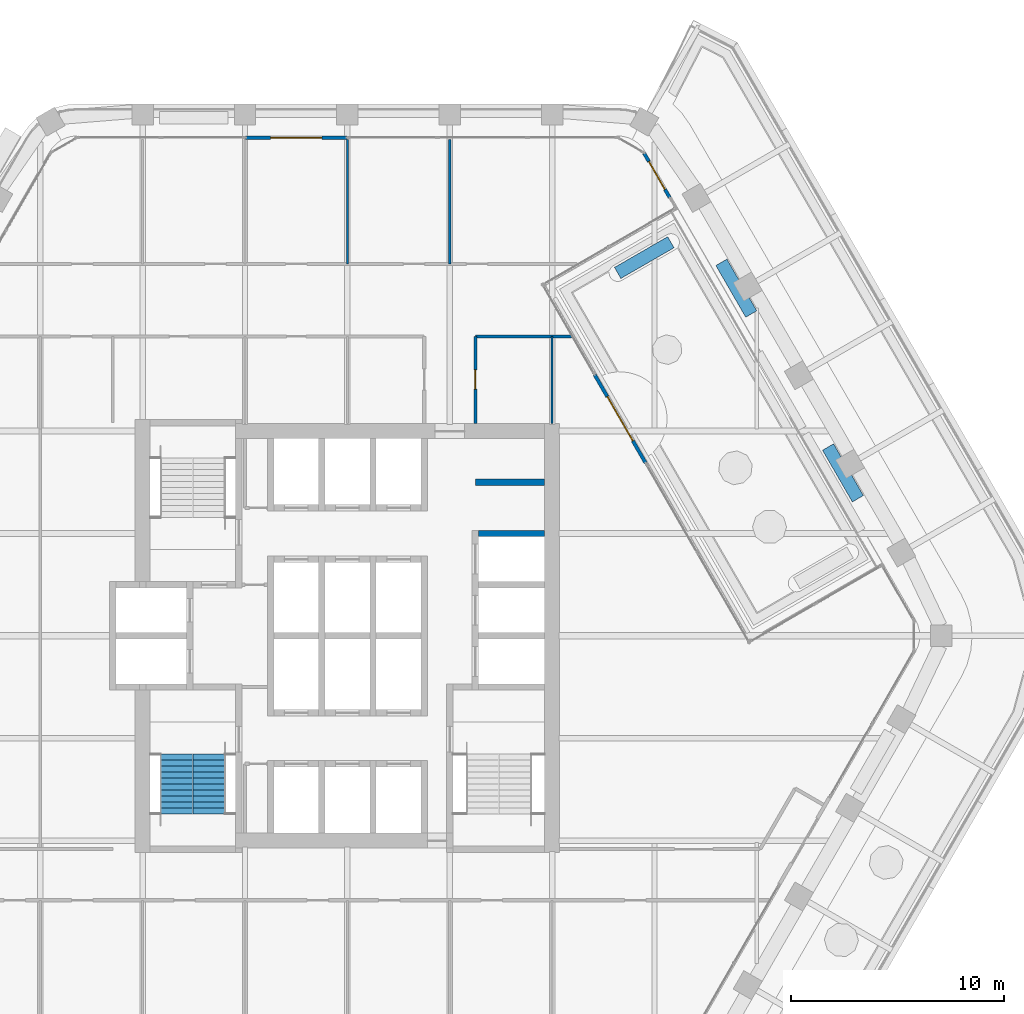
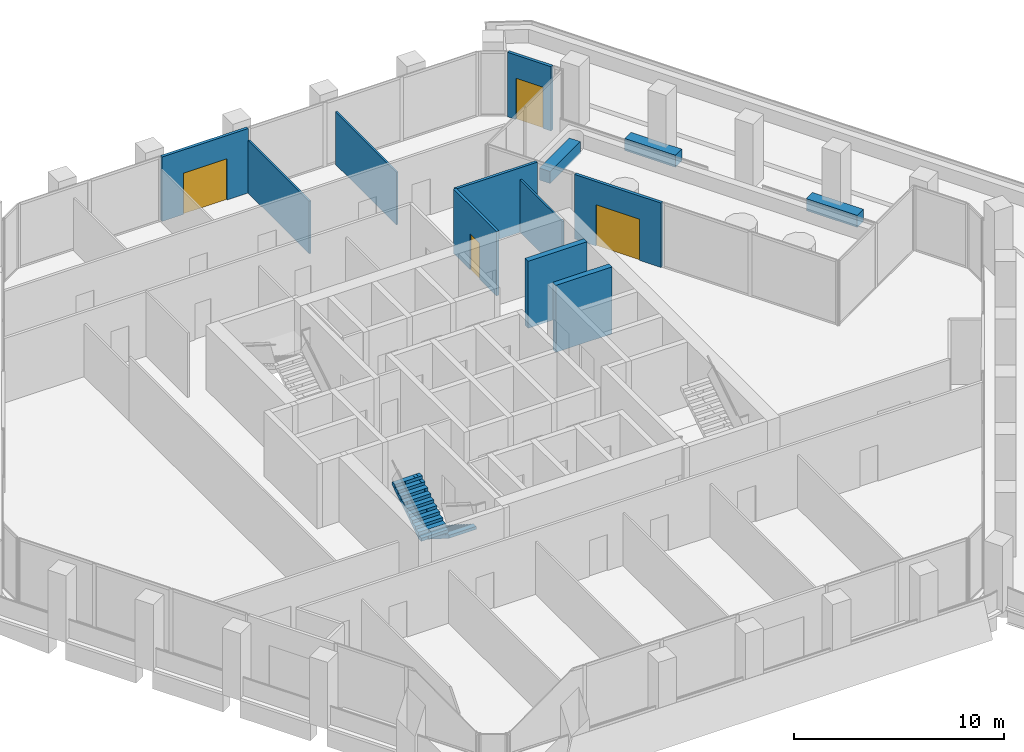
# One storey, part 14 of 17: 13 walls, 4 doors, 2 stair flights, 4 openings, 1 element without a shape of its own.
"""IFC4 building model written with IfcOpenShell, lengths in metres."""

from ifc_helpers import new_model, si_unit, direction, frame, frame_2d, origin, place, context, subcontext, project, spatial, polyline, rectangle, outline, extrude, material, layer, layer_set, type_object, element, fill, aggregate, save


model = new_model("IFC4")

# Units and contexts
model_context = context("Model", 3, precision=1e-05, world=origin(), true_north=direction((0.0, 1.0)))
body_context = subcontext(model_context, "Body", "Model", "MODEL_VIEW")
ifc_project = project(units=[si_unit("LENGTHUNIT", "METRE"), si_unit("AREAUNIT", "SQUARE_METRE"), si_unit("VOLUMEUNIT", "CUBIC_METRE"), si_unit("PLANEANGLEUNIT", "RADIAN"), si_unit("MASSUNIT", "GRAM", prefix="KILO")], contexts=[model_context])

# Site, building, storey
site_placement = place(None, origin())
site = spatial("IfcSite", under=ifc_project, at=site_placement, CompositionType="ELEMENT")
building_placement = place(site_placement, origin())
building = spatial("IfcBuilding", under=site, at=building_placement, Name="Kolab Exchange Tower", CompositionType="ELEMENT")
storey_placement = place(building_placement, frame((0.0, 0.0, 181.699951171875)))
storey = spatial("IfcBuildingStorey", under=building, at=storey_placement, Name="L38", CompositionType="ELEMENT", Elevation=181.699951171875)

# Wall, opening, door
ifc_material_1 = material(Name="Aluminium EN AW-6063 T6", Category="aluminium")
ifc_layer_1 = layer(ifc_material_1, 0.159912109375)
ifc_layer_set_1 = layer_set([ifc_layer_1], Name="Aluminium EN AW-6063 T6")
wall_type_1 = type_object("IfcWallType", Name="DOOR SURROUND WALL 160 ALUMINIUM FRAMED", PredefinedType="PARTITIONING", material=ifc_layer_set_1)
wall_1_placement = place(storey_placement, frame((-4.77001953125, 23.361572265625, 0.0), z_axis=(0.0, 0.0, 1.0), x_axis=(1.0, 0.0, 0.0)))
wall_1 = element("IfcWall", 1, at=wall_1_placement, inside=storey, type_object=wall_type_1, Name="Door surround wall", PredefinedType="PARTITIONING", context=body_context, shape_type="SweptSolid", body=[
    extrude(rectangle(XDim=4.739990234375, YDim=0.159912109375, at=frame_2d((2.3701171875, 0.0))), origin(), (0.0, 0.0, 1.0), 3.75),
])
opening_1_placement = place(wall_1_placement, frame((1.169921875, 0.0, 0.0)))
opening_1 = element("IfcOpeningElement", 2, at=opening_1_placement, cuts=wall_1, Name="Opening GD1-064", PredefinedType="OPENING", context=body_context, shape_type="SweptSolid", body=[
    extrude(rectangle(XDim=2.39990234375, YDim=2.39990234375, at=frame_2d((1.199951171875, 1.199951171875))), frame((0.0, 0.08984375, 0.0), z_axis=(0.0, -1.0, 0.0), x_axis=(1.0, 0.0, 0.0)), (0.0, 0.0, 1.0), 0.179931640625),
])
door_type_1 = type_object("IfcDoorType", Name="LOGGIA SLIDING GLASS DOOR 2400 X 2400", OperationType="DOUBLE_DOOR_SINGLE_SWING", PredefinedType="DOOR", material=ifc_material_1)
door_1_placement = place(opening_1_placement, origin())
door_1 = element("IfcDoor", 3, at=door_1_placement, inside=storey, type_object=door_type_1, Name="Loggia door", OperationType="DOUBLE_DOOR_SLIDING", OverallHeight=2.39990234375, OverallWidth=2.39990234375, PredefinedType="DOOR", context=body_context, shape_type="SweptSolid", body=[
    extrude(rectangle(XDim=2.39990234375, YDim=2.39990234375, at=frame_2d((1.199951171875, 1.199951171875))), frame((0.0, 0.02490234375, 0.0), z_axis=(0.0, -1.0, 0.0), x_axis=(1.0, 0.0, 0.0)), (0.0, 0.0, 1.0), 0.050048828125),
])
fill(opening_1, door_1)

wall_2_placement = place(storey_placement, frame((13.91259765625, 22.62548828125, 0.0), z_axis=(0.0, 0.0, 1.0), x_axis=(0.500077600433, -0.865980596518, 0.0)))
wall_2 = element("IfcWall", 4, at=wall_2_placement, inside=storey, type_object=wall_type_1, Name="Door surround wall", PredefinedType="PARTITIONING", context=body_context, shape_type="SweptSolid", body=[
    extrude(rectangle(XDim=2.39990234375, YDim=0.159912109375, at=frame_2d((1.199951171875, 0.0))), origin(), (0.0, 0.0, 1.0), 3.75),
])
opening_2_placement = place(wall_2_placement, frame((0.449951171875, 0.0, 0.0)))
opening_2 = element("IfcOpeningElement", 5, at=opening_2_placement, cuts=wall_2, Name="Opening GD2-008", PredefinedType="OPENING", context=body_context, shape_type="SweptSolid", body=[
    extrude(rectangle(XDim=1.5, YDim=2.39990234375, at=frame_2d((0.75, 1.199951171875))), frame((0.0, 0.08984375, 0.0), z_axis=(0.0, -1.0, 0.0), x_axis=(1.0, 0.0, 0.0)), (0.0, 0.0, 1.0), 0.179931640625),
])
door_type_2 = type_object("IfcDoorType", Name="LOGGIA SLIDING GLASS DOOR 1500 X 2400", OperationType="SLIDING_TO_LEFT", PredefinedType="DOOR", material=ifc_material_1)
door_2_placement = place(opening_2_placement, origin())
door_2 = element("IfcDoor", 6, at=door_2_placement, inside=storey, type_object=door_type_2, Name="Loggia door", OperationType="DOUBLE_DOOR_SLIDING", OverallHeight=2.39990234375, OverallWidth=1.5, PredefinedType="DOOR", context=body_context, shape_type="SweptSolid", body=[
    extrude(rectangle(XDim=1.5, YDim=2.39990234375, at=frame_2d((0.75, 1.199951171875))), frame((0.0, 0.02490234375, 0.0), z_axis=(0.0, -1.0, 0.0), x_axis=(1.0, 0.0, 0.0)), (0.0, 0.0, 1.0), 0.050048828125),
])
fill(opening_2, door_2)

wall_3_placement = place(storey_placement, frame((11.59130859375, 12.246337890625, 0.0), z_axis=(0.0, 0.0, 1.0), x_axis=(0.49997888657, -0.866037593286, 0.0)))
wall_3 = element("IfcWall", 7, at=wall_3_placement, inside=storey, type_object=wall_type_1, Name="Door surround wall", PredefinedType="PARTITIONING", context=body_context, shape_type="SweptSolid", body=[
    extrude(rectangle(XDim=4.780029296875, YDim=0.159912109375, at=frame_2d((2.39013671875, 0.0))), origin(), (0.0, 0.0, 1.0), 3.75),
])
opening_3_placement = place(wall_3_placement, frame((1.18994140625, 0.0, 0.0)))
opening_3 = element("IfcOpeningElement", 8, at=opening_3_placement, cuts=wall_3, Name="Opening GD1-081", PredefinedType="OPENING", context=body_context, shape_type="SweptSolid", body=[
    extrude(rectangle(XDim=2.39990234375, YDim=2.39990234375, at=frame_2d((1.199951171875, 1.199951171875))), frame((0.0, 0.08984375, 0.0), z_axis=(0.0, -1.0, 0.0), x_axis=(1.0, 0.0, 0.0)), (0.0, 0.0, 1.0), 0.179931640625),
])
door_3_placement = place(opening_3_placement, origin())
door_3 = element("IfcDoor", 9, at=door_3_placement, inside=storey, type_object=door_type_1, Name="Loggia door", OperationType="DOUBLE_DOOR_SLIDING", OverallHeight=2.39990234375, OverallWidth=2.39990234375, PredefinedType="DOOR", context=body_context, shape_type="SweptSolid", body=[
    extrude(rectangle(XDim=2.39990234375, YDim=2.39990234375, at=frame_2d((1.199951171875, 1.199951171875))), frame((0.0, 0.02490234375, 0.0), z_axis=(0.0, -1.0, 0.0), x_axis=(1.0, 0.0, 0.0)), (0.0, 0.0, 1.0), 0.050048828125),
])
fill(opening_3, door_3)

# Walls
ifc_material_2 = material(Name="Concrete C50/60", Category="concrete")
ifc_layer_2 = layer(ifc_material_2, 0.300048828125)
ifc_layer_set_2 = layer_set([ifc_layer_2], Name="Concrete C50/60")
wall_type_2 = type_object("IfcWallType", Name="LIFT SHAFT WALL 300 C50/60", PredefinedType="STANDARD", material=ifc_layer_set_2)
wall_4_placement = place(storey_placement, frame((6.14990234375, 4.800048828125, -0.14990234375), z_axis=(0.0, 0.0, 1.0), x_axis=(1.0, 0.0, 0.0)))
element("IfcWall", 10, at=wall_4_placement, inside=storey, type_object=wall_type_2, Name="wall/L38/core/026", PredefinedType="STANDARD", context=body_context, shape_type="SweptSolid", body=[
    extrude(rectangle(XDim=3.10009765625, YDim=0.300048828125, at=frame_2d((1.550048828125, 0.0))), origin(), (0.0, 0.0, 1.0), 3.89990234375),
])
wall_5_placement = place(storey_placement, frame((6.0, 7.199951171875, -0.14990234375), z_axis=(0.0, 0.0, 1.0), x_axis=(1.0, 0.0, 0.0)))
element("IfcWall", 11, at=wall_5_placement, inside=storey, type_object=wall_type_2, Name="wall/L38/core/030", PredefinedType="STANDARD", context=body_context, shape_type="SweptSolid", body=[
    extrude(rectangle(XDim=3.25, YDim=0.300048828125, at=frame_2d((1.625, 0.0))), origin(), (0.0, 0.0, 1.0), 3.89990234375),
])
ifc_material_3 = material(Name="Gypsum board", Category="gypsum")
ifc_layer_3 = layer(ifc_material_3, 0.10009765625)
ifc_layer_set_3 = layer_set([ifc_layer_3], Name="Gypsum board")
wall_type_3 = type_object("IfcWallType", Name="PARTITION 100", PredefinedType="PARTITIONING", material=ifc_layer_set_3)
wall_6_placement = place(storey_placement, frame((9.60009765625, 9.949951171875, 0.0), z_axis=(0.0, 0.0, 1.0), x_axis=(0.0, 1.0, 0.0)))
element("IfcWall", 12, at=wall_6_placement, inside=storey, type_object=wall_type_3, Name="Partition 001", PredefinedType="PARTITIONING", context=body_context, shape_type="SweptSolid", body=[
    extrude(rectangle(XDim=4.091552734375, YDim=0.10009765625, at=frame_2d((2.0458984375, 0.0))), origin(), (0.0, 0.0, 1.0), 3.066162109375),
])
wall_7_placement = place(storey_placement, frame((4.800048828125, 17.44140625, 0.0), z_axis=(0.0, 0.0, 1.0), x_axis=(0.0, 1.0, 0.0)))
element("IfcWall", 13, at=wall_7_placement, inside=storey, type_object=wall_type_3, Name="Partition 004", PredefinedType="PARTITIONING", context=body_context, shape_type="SweptSolid", body=[
    extrude(rectangle(XDim=5.830078125, YDim=0.10009765625, at=frame_2d((2.9150390625, 0.0))), origin(), (0.0, 0.0, 1.0), 3.066162109375),
])
wall_8_placement = place(storey_placement, frame((0.0, 17.44140625, 0.0), z_axis=(0.0, 0.0, 1.0), x_axis=(0.0, 1.0, 0.0)))
element("IfcWall", 14, at=wall_8_placement, inside=storey, type_object=wall_type_3, Name="Partition 008", PredefinedType="PARTITIONING", context=body_context, shape_type="SweptSolid", body=[
    extrude(rectangle(XDim=5.840087890625, YDim=0.10009765625, at=frame_2d((2.919921875, 0.0))), origin(), (0.0, 0.0, 1.0), 3.066162109375),
])

# Wall, opening, door
ifc_layer_4 = layer(ifc_material_3, 0.14990234375)
ifc_layer_set_4 = layer_set([ifc_layer_4], Name="Gypsum board")
wall_type_4 = type_object("IfcWallType", Name="PARTITION 150 FIRE-RATED", PredefinedType="PARTITIONING", material=ifc_layer_set_4)
wall_9_placement = place(storey_placement, frame((6.0, 9.949951171875, 0.0), z_axis=(0.0, 0.0, 1.0), x_axis=(0.0, 1.0, 0.0)))
wall_9 = element("IfcWall", 15, at=wall_9_placement, inside=storey, type_object=wall_type_4, Name="Partition 002", PredefinedType="PARTITIONING", context=body_context, shape_type="SweptSolid", body=[
    extrude(rectangle(XDim=4.091552734375, YDim=0.14990234375, at=frame_2d((2.0458984375, 0.0))), origin(), (0.0, 0.0, 1.0), 3.75),
])
opening_4_placement = place(wall_9_placement, frame((1.620849609375, 0.0, 0.0)))
opening_4 = element("IfcOpeningElement", 16, at=opening_4_placement, cuts=wall_9, Name="Opening D3-045", PredefinedType="OPENING", context=body_context, shape_type="SweptSolid", body=[
    extrude(rectangle(XDim=0.89990234375, YDim=2.10009765625, at=frame_2d((0.449951171875, 1.050048828125))), frame((0.0, 0.0849609375, 0.0), z_axis=(0.0, -1.0, 0.0), x_axis=(1.0, 0.0, 0.0)), (0.0, 0.0, 1.0), 0.169921875),
])
ifc_material_4 = material(Name="Steel S235", Category="steel")
door_type_3 = type_object("IfcDoorType", Name="FLUSH DOOR 900 FD60", OperationType="SINGLE_SWING_LEFT", PredefinedType="DOOR", material=ifc_material_4)
door_4_placement = place(opening_4_placement, frame((0.89990234375, 0.0, 0.0), z_axis=(0.0, 0.0, 1.0), x_axis=(-1.0, 0.0, 0.0)))
door_4 = element("IfcDoor", 17, at=door_4_placement, inside=storey, type_object=door_type_3, Name="Door L38-030", OperationType="SINGLE_SWING_RIGHT", OverallHeight=2.10009765625, OverallWidth=0.89990234375, PredefinedType="DOOR", context=body_context, shape_type="SweptSolid", body=[
    extrude(rectangle(XDim=0.89990234375, YDim=2.10009765625, at=frame_2d((0.449951171875, 1.050048828125))), frame((0.0, 0.02490234375, 0.0), z_axis=(0.0, -1.0, 0.0), x_axis=(1.0, 0.0, 0.0)), (0.0, 0.0, 1.0), 0.050048828125),
])
fill(opening_4, door_4)

# Walls
wall_10_placement = place(storey_placement, frame((6.0, 14.04150390625, 0.0), z_axis=(0.0, 0.0, 1.0), x_axis=(1.0, 0.0, 0.0)))
element("IfcWall", 18, at=wall_10_placement, inside=storey, type_object=wall_type_4, Name="Partition 029", PredefinedType="PARTITIONING", context=body_context, shape_type="SweptSolid", body=[
    extrude(rectangle(XDim=4.5087890625, YDim=0.14990234375, at=frame_2d((2.25439453125, 0.0))), origin(), (0.0, 0.0, 1.0), 3.75),
])
ifc_material_5 = material(Name="Granite facing", Category="masonry")
ifc_layer_5 = layer(ifc_material_5, 0.0400390625)
ifc_material_6 = material(Name="Concrete C40/50 precast", Category="concrete")
ifc_layer_6 = layer(ifc_material_6, 0.56005859375)
ifc_layer_set_5 = layer_set([ifc_layer_5, ifc_layer_6], Name="Concrete C40/50 precast")
wall_type_5 = type_object("IfcWallType", Name="PLANTER BOX 600 X 700 SOIL DEPTH 550", PredefinedType="USERDEFINED", material=ifc_layer_set_5)
wall_11_placement = place(storey_placement, frame((12.67138671875, 17.015380859375, 0.0), z_axis=(0.0, 0.0, 1.0), x_axis=(0.866054314686, 0.499949921505, 0.0)))
element("IfcWall", 19, at=wall_11_placement, inside=storey, type_object=wall_type_5, Name="Planter", ObjectType="PLANTER", PredefinedType="USERDEFINED", context=body_context, shape_type="SweptSolid", body=[
    extrude(rectangle(XDim=2.880126953125, YDim=0.60009765625, at=frame_2d((1.43994140625, 0.0))), origin(), (0.0, 0.0, 1.0), 0.699951171875),
])
wall_12_placement = place(storey_placement, frame((18.93408203125, 15.08837890625, 0.0), z_axis=(0.0, 0.0, 1.0), x_axis=(-0.500011755427, 0.866018616679, 0.0)))
element("IfcWall", 20, at=wall_12_placement, inside=storey, type_object=wall_type_5, Name="Planter", ObjectType="PLANTER", PredefinedType="USERDEFINED", context=body_context, shape_type="SweptSolid", body=[
    extrude(rectangle(XDim=2.80029296875, YDim=0.60009765625, at=frame_2d((1.400146484375, 0.0))), origin(), (0.0, 0.0, 1.0), 0.699951171875),
])
wall_13_placement = place(storey_placement, frame((22.533935546875, 8.85302734375, 0.0), z_axis=(0.0, 0.0, 1.0), x_axis=(0.500049511043, -0.865996816683, 0.0)))
element("IfcWall", 21, at=wall_13_placement, inside=storey, type_object=wall_type_5, Name="Planter", ObjectType="PLANTER", PredefinedType="USERDEFINED", context=body_context, shape_type="SweptSolid", body=[
    extrude(rectangle(XDim=2.800048828125, YDim=0.60009765625, at=frame_2d((1.39990234375, 0.0))), origin(), (0.0, 0.0, 1.0), 0.699951171875),
])

# Stair, stair flights
stair_type = type_object("IfcStairType", Name="STAIR ST3 RISER 177.3", PredefinedType="HALF_TURN_STAIR", material=ifc_material_2)
stair_placement = place(storey_placement, origin())
stair = element("IfcStair", 22, at=stair_placement, inside=storey, type_object=stair_type, Name="Stair 3", PredefinedType="HALF_TURN_STAIR")
stair_flight_type = type_object("IfcStairFlightType", Name="STAIR FLIGHT 1500 RISER 177.3", PredefinedType="STRAIGHT", material=ifc_material_2)
stair_flight_1_placement = place(storey_placement, frame((-6.489990234375, -5.550048828125, 0.0), z_axis=(0.0, 0.0, 1.0), x_axis=(0.0, -1.0, 0.0)))
stair_flight_1 = element("IfcStairFlight", 23, at=stair_flight_1_placement, type_object=stair_flight_type, Name="ST3 flight 1", NumberOfRisers=11, NumberOfTreads=10, PredefinedType="STRAIGHT", RiserHeight=0.177272727, TreadLength=0.28, context=body_context, shape_type="SweptSolid", body=[
    extrude(outline(polyline([(0.0, 0.0), (0.0, 0.17724609375), (0.280029296875, 0.17724609375), (0.280029296875, 0.3544921875), (0.56005859375, 0.3544921875), (0.56005859375, 0.53173828125), (0.840087890625, 0.53173828125), (0.840087890625, 0.708984375), (1.1201171875, 0.708984375), (1.1201171875, 0.886474609375), (1.39990234375, 0.886474609375), (1.39990234375, 1.063720703125), (1.679931640625, 1.063720703125), (1.679931640625, 1.240966796875), (1.9599609375, 1.240966796875), (1.9599609375, 1.418212890625), (2.239990234375, 1.418212890625), (2.239990234375, 1.595458984375), (2.52001953125, 1.595458984375), (2.52001953125, 1.772705078125), (2.800048828125, 1.772705078125), (2.800048828125, 1.949951171875), (2.800048828125, 1.59521484375), (0.2802734375, 0.0), (0.0, 0.0)])), frame((0.0, 0.75, 0.0), z_axis=(0.0, -1.0, 0.0), x_axis=(1.0, 0.0, 0.0)), (0.0, 0.0, 1.0), 0.185791015625),
    extrude(outline(polyline([(0.0, 0.0), (0.0, 0.17724609375), (0.280029296875, 0.17724609375), (0.280029296875, 0.3544921875), (0.56005859375, 0.3544921875), (0.56005859375, 0.53173828125), (0.840087890625, 0.53173828125), (0.840087890625, 0.708984375), (1.1201171875, 0.708984375), (1.1201171875, 0.886474609375), (1.39990234375, 0.886474609375), (1.39990234375, 1.063720703125), (1.679931640625, 1.063720703125), (1.679931640625, 1.240966796875), (1.9599609375, 1.240966796875), (1.9599609375, 1.418212890625), (2.239990234375, 1.418212890625), (2.239990234375, 1.595458984375), (2.52001953125, 1.595458984375), (2.52001953125, 1.772705078125), (2.800048828125, 1.772705078125), (2.800048828125, 1.949951171875), (2.800048828125, 1.59521484375), (0.2802734375, 0.0), (0.0, 0.0)])), frame((0.0, 0.562255859375, 0.0), z_axis=(0.0, -1.0, 0.0), x_axis=(1.0, 0.0, 0.0)), (0.0, 0.0, 1.0), 0.185791015625),
    extrude(outline(polyline([(0.0, 0.0), (0.0, 0.17724609375), (0.280029296875, 0.17724609375), (0.280029296875, 0.3544921875), (0.56005859375, 0.3544921875), (0.56005859375, 0.53173828125), (0.840087890625, 0.53173828125), (0.840087890625, 0.708984375), (1.1201171875, 0.708984375), (1.1201171875, 0.886474609375), (1.39990234375, 0.886474609375), (1.39990234375, 1.063720703125), (1.679931640625, 1.063720703125), (1.679931640625, 1.240966796875), (1.9599609375, 1.240966796875), (1.9599609375, 1.418212890625), (2.239990234375, 1.418212890625), (2.239990234375, 1.595458984375), (2.52001953125, 1.595458984375), (2.52001953125, 1.772705078125), (2.800048828125, 1.772705078125), (2.800048828125, 1.949951171875), (2.800048828125, 1.59521484375), (0.2802734375, 0.0), (0.0, 0.0)])), frame((0.0, 0.37451171875, 0.0), z_axis=(0.0, -1.0, 0.0), x_axis=(1.0, 0.0, 0.0)), (0.0, 0.0, 1.0), 0.185791015625),
    extrude(outline(polyline([(0.0, 0.0), (0.0, 0.17724609375), (0.280029296875, 0.17724609375), (0.280029296875, 0.3544921875), (0.56005859375, 0.3544921875), (0.56005859375, 0.53173828125), (0.840087890625, 0.53173828125), (0.840087890625, 0.708984375), (1.1201171875, 0.708984375), (1.1201171875, 0.886474609375), (1.39990234375, 0.886474609375), (1.39990234375, 1.063720703125), (1.679931640625, 1.063720703125), (1.679931640625, 1.240966796875), (1.9599609375, 1.240966796875), (1.9599609375, 1.418212890625), (2.239990234375, 1.418212890625), (2.239990234375, 1.595458984375), (2.52001953125, 1.595458984375), (2.52001953125, 1.772705078125), (2.800048828125, 1.772705078125), (2.800048828125, 1.949951171875), (2.800048828125, 1.59521484375), (0.2802734375, 0.0), (0.0, 0.0)])), frame((0.0, 0.186767578125, 0.0), z_axis=(0.0, -1.0, 0.0), x_axis=(1.0, 0.0, 0.0)), (0.0, 0.0, 1.0), 0.185791015625),
    extrude(outline(polyline([(0.0, 0.0), (0.0, 0.17724609375), (0.280029296875, 0.17724609375), (0.280029296875, 0.3544921875), (0.56005859375, 0.3544921875), (0.56005859375, 0.53173828125), (0.840087890625, 0.53173828125), (0.840087890625, 0.708984375), (1.1201171875, 0.708984375), (1.1201171875, 0.886474609375), (1.39990234375, 0.886474609375), (1.39990234375, 1.063720703125), (1.679931640625, 1.063720703125), (1.679931640625, 1.240966796875), (1.9599609375, 1.240966796875), (1.9599609375, 1.418212890625), (2.239990234375, 1.418212890625), (2.239990234375, 1.595458984375), (2.52001953125, 1.595458984375), (2.52001953125, 1.772705078125), (2.800048828125, 1.772705078125), (2.800048828125, 1.949951171875), (2.800048828125, 1.59521484375), (0.2802734375, 0.0), (0.0, 0.0)])), frame((0.0, -0.0009765625, 0.0), z_axis=(0.0, -1.0, 0.0), x_axis=(1.0, 0.0, 0.0)), (0.0, 0.0, 1.0), 0.185791015625),
    extrude(outline(polyline([(0.0, 0.0), (0.0, 0.17724609375), (0.280029296875, 0.17724609375), (0.280029296875, 0.3544921875), (0.56005859375, 0.3544921875), (0.56005859375, 0.53173828125), (0.840087890625, 0.53173828125), (0.840087890625, 0.708984375), (1.1201171875, 0.708984375), (1.1201171875, 0.886474609375), (1.39990234375, 0.886474609375), (1.39990234375, 1.063720703125), (1.679931640625, 1.063720703125), (1.679931640625, 1.240966796875), (1.9599609375, 1.240966796875), (1.9599609375, 1.418212890625), (2.239990234375, 1.418212890625), (2.239990234375, 1.595458984375), (2.52001953125, 1.595458984375), (2.52001953125, 1.772705078125), (2.800048828125, 1.772705078125), (2.800048828125, 1.949951171875), (2.800048828125, 1.59521484375), (0.2802734375, 0.0), (0.0, 0.0)])), frame((0.0, -0.188720703125, 0.0), z_axis=(0.0, -1.0, 0.0), x_axis=(1.0, 0.0, 0.0)), (0.0, 0.0, 1.0), 0.185791015625),
    extrude(outline(polyline([(0.0, 0.0), (0.0, 0.17724609375), (0.280029296875, 0.17724609375), (0.280029296875, 0.3544921875), (0.56005859375, 0.3544921875), (0.56005859375, 0.53173828125), (0.840087890625, 0.53173828125), (0.840087890625, 0.708984375), (1.1201171875, 0.708984375), (1.1201171875, 0.886474609375), (1.39990234375, 0.886474609375), (1.39990234375, 1.063720703125), (1.679931640625, 1.063720703125), (1.679931640625, 1.240966796875), (1.9599609375, 1.240966796875), (1.9599609375, 1.418212890625), (2.239990234375, 1.418212890625), (2.239990234375, 1.595458984375), (2.52001953125, 1.595458984375), (2.52001953125, 1.772705078125), (2.800048828125, 1.772705078125), (2.800048828125, 1.949951171875), (2.800048828125, 1.59521484375), (0.2802734375, 0.0), (0.0, 0.0)])), frame((0.0, -0.37646484375, 0.0), z_axis=(0.0, -1.0, 0.0), x_axis=(1.0, 0.0, 0.0)), (0.0, 0.0, 1.0), 0.185791015625),
    extrude(outline(polyline([(0.0, 0.0), (0.0, 0.17724609375), (0.280029296875, 0.17724609375), (0.280029296875, 0.3544921875), (0.56005859375, 0.3544921875), (0.56005859375, 0.53173828125), (0.840087890625, 0.53173828125), (0.840087890625, 0.708984375), (1.1201171875, 0.708984375), (1.1201171875, 0.886474609375), (1.39990234375, 0.886474609375), (1.39990234375, 1.063720703125), (1.679931640625, 1.063720703125), (1.679931640625, 1.240966796875), (1.9599609375, 1.240966796875), (1.9599609375, 1.418212890625), (2.239990234375, 1.418212890625), (2.239990234375, 1.595458984375), (2.52001953125, 1.595458984375), (2.52001953125, 1.772705078125), (2.800048828125, 1.772705078125), (2.800048828125, 1.949951171875), (2.800048828125, 1.59521484375), (0.2802734375, 0.0), (0.0, 0.0)])), frame((0.0, -0.564208984375, 0.0), z_axis=(0.0, -1.0, 0.0), x_axis=(1.0, 0.0, 0.0)), (0.0, 0.0, 1.0), 0.185791015625),
])
stair_flight_2_placement = place(storey_placement, frame((-8.010009765625, -8.35009765625, 1.949951171875), z_axis=(0.0, 0.0, 1.0), x_axis=(0.0, 1.0, 0.0)))
stair_flight_2 = element("IfcStairFlight", 24, at=stair_flight_2_placement, type_object=stair_flight_type, Name="ST3 flight 2", NumberOfRisers=11, NumberOfTreads=10, PredefinedType="STRAIGHT", RiserHeight=0.177272727, TreadLength=0.28, context=body_context, shape_type="SweptSolid", body=[
    extrude(outline(polyline([(0.0, 0.0), (0.0, 0.17724609375), (0.280029296875, 0.17724609375), (0.280029296875, 0.3544921875), (0.56005859375, 0.3544921875), (0.56005859375, 0.53173828125), (0.840087890625, 0.53173828125), (0.840087890625, 0.708984375), (1.1201171875, 0.708984375), (1.1201171875, 0.886474609375), (1.39990234375, 0.886474609375), (1.39990234375, 1.063720703125), (1.679931640625, 1.063720703125), (1.679931640625, 1.240966796875), (1.9599609375, 1.240966796875), (1.9599609375, 1.418212890625), (2.239990234375, 1.418212890625), (2.239990234375, 1.595458984375), (2.52001953125, 1.595458984375), (2.52001953125, 1.772705078125), (2.800048828125, 1.772705078125), (2.800048828125, 1.949951171875), (2.800048828125, 1.59521484375), (0.2802734375, 0.0), (0.0, 0.0)])), frame((0.0, 0.75, 0.0), z_axis=(0.0, -1.0, 0.0), x_axis=(1.0, 0.0, 0.0)), (0.0, 0.0, 1.0), 0.185791015625),
    extrude(outline(polyline([(0.0, 0.0), (0.0, 0.17724609375), (0.280029296875, 0.17724609375), (0.280029296875, 0.3544921875), (0.56005859375, 0.3544921875), (0.56005859375, 0.53173828125), (0.840087890625, 0.53173828125), (0.840087890625, 0.708984375), (1.1201171875, 0.708984375), (1.1201171875, 0.886474609375), (1.39990234375, 0.886474609375), (1.39990234375, 1.063720703125), (1.679931640625, 1.063720703125), (1.679931640625, 1.240966796875), (1.9599609375, 1.240966796875), (1.9599609375, 1.418212890625), (2.239990234375, 1.418212890625), (2.239990234375, 1.595458984375), (2.52001953125, 1.595458984375), (2.52001953125, 1.772705078125), (2.800048828125, 1.772705078125), (2.800048828125, 1.949951171875), (2.800048828125, 1.59521484375), (0.2802734375, 0.0), (0.0, 0.0)])), frame((0.0, 0.562255859375, 0.0), z_axis=(0.0, -1.0, 0.0), x_axis=(1.0, 0.0, 0.0)), (0.0, 0.0, 1.0), 0.185791015625),
    extrude(outline(polyline([(0.0, 0.0), (0.0, 0.17724609375), (0.280029296875, 0.17724609375), (0.280029296875, 0.3544921875), (0.56005859375, 0.3544921875), (0.56005859375, 0.53173828125), (0.840087890625, 0.53173828125), (0.840087890625, 0.708984375), (1.1201171875, 0.708984375), (1.1201171875, 0.886474609375), (1.39990234375, 0.886474609375), (1.39990234375, 1.063720703125), (1.679931640625, 1.063720703125), (1.679931640625, 1.240966796875), (1.9599609375, 1.240966796875), (1.9599609375, 1.418212890625), (2.239990234375, 1.418212890625), (2.239990234375, 1.595458984375), (2.52001953125, 1.595458984375), (2.52001953125, 1.772705078125), (2.800048828125, 1.772705078125), (2.800048828125, 1.949951171875), (2.800048828125, 1.59521484375), (0.2802734375, 0.0), (0.0, 0.0)])), frame((0.0, 0.37451171875, 0.0), z_axis=(0.0, -1.0, 0.0), x_axis=(1.0, 0.0, 0.0)), (0.0, 0.0, 1.0), 0.185791015625),
    extrude(outline(polyline([(0.0, 0.0), (0.0, 0.17724609375), (0.280029296875, 0.17724609375), (0.280029296875, 0.3544921875), (0.56005859375, 0.3544921875), (0.56005859375, 0.53173828125), (0.840087890625, 0.53173828125), (0.840087890625, 0.708984375), (1.1201171875, 0.708984375), (1.1201171875, 0.886474609375), (1.39990234375, 0.886474609375), (1.39990234375, 1.063720703125), (1.679931640625, 1.063720703125), (1.679931640625, 1.240966796875), (1.9599609375, 1.240966796875), (1.9599609375, 1.418212890625), (2.239990234375, 1.418212890625), (2.239990234375, 1.595458984375), (2.52001953125, 1.595458984375), (2.52001953125, 1.772705078125), (2.800048828125, 1.772705078125), (2.800048828125, 1.949951171875), (2.800048828125, 1.59521484375), (0.2802734375, 0.0), (0.0, 0.0)])), frame((0.0, 0.186767578125, 0.0), z_axis=(0.0, -1.0, 0.0), x_axis=(1.0, 0.0, 0.0)), (0.0, 0.0, 1.0), 0.185791015625),
    extrude(outline(polyline([(0.0, 0.0), (0.0, 0.17724609375), (0.280029296875, 0.17724609375), (0.280029296875, 0.3544921875), (0.56005859375, 0.3544921875), (0.56005859375, 0.53173828125), (0.840087890625, 0.53173828125), (0.840087890625, 0.708984375), (1.1201171875, 0.708984375), (1.1201171875, 0.886474609375), (1.39990234375, 0.886474609375), (1.39990234375, 1.063720703125), (1.679931640625, 1.063720703125), (1.679931640625, 1.240966796875), (1.9599609375, 1.240966796875), (1.9599609375, 1.418212890625), (2.239990234375, 1.418212890625), (2.239990234375, 1.595458984375), (2.52001953125, 1.595458984375), (2.52001953125, 1.772705078125), (2.800048828125, 1.772705078125), (2.800048828125, 1.949951171875), (2.800048828125, 1.59521484375), (0.2802734375, 0.0), (0.0, 0.0)])), frame((0.0, -0.0009765625, 0.0), z_axis=(0.0, -1.0, 0.0), x_axis=(1.0, 0.0, 0.0)), (0.0, 0.0, 1.0), 0.185791015625),
    extrude(outline(polyline([(0.0, 0.0), (0.0, 0.17724609375), (0.280029296875, 0.17724609375), (0.280029296875, 0.3544921875), (0.56005859375, 0.3544921875), (0.56005859375, 0.53173828125), (0.840087890625, 0.53173828125), (0.840087890625, 0.708984375), (1.1201171875, 0.708984375), (1.1201171875, 0.886474609375), (1.39990234375, 0.886474609375), (1.39990234375, 1.063720703125), (1.679931640625, 1.063720703125), (1.679931640625, 1.240966796875), (1.9599609375, 1.240966796875), (1.9599609375, 1.418212890625), (2.239990234375, 1.418212890625), (2.239990234375, 1.595458984375), (2.52001953125, 1.595458984375), (2.52001953125, 1.772705078125), (2.800048828125, 1.772705078125), (2.800048828125, 1.949951171875), (2.800048828125, 1.59521484375), (0.2802734375, 0.0), (0.0, 0.0)])), frame((0.0, -0.188720703125, 0.0), z_axis=(0.0, -1.0, 0.0), x_axis=(1.0, 0.0, 0.0)), (0.0, 0.0, 1.0), 0.185791015625),
    extrude(outline(polyline([(0.0, 0.0), (0.0, 0.17724609375), (0.280029296875, 0.17724609375), (0.280029296875, 0.3544921875), (0.56005859375, 0.3544921875), (0.56005859375, 0.53173828125), (0.840087890625, 0.53173828125), (0.840087890625, 0.708984375), (1.1201171875, 0.708984375), (1.1201171875, 0.886474609375), (1.39990234375, 0.886474609375), (1.39990234375, 1.063720703125), (1.679931640625, 1.063720703125), (1.679931640625, 1.240966796875), (1.9599609375, 1.240966796875), (1.9599609375, 1.418212890625), (2.239990234375, 1.418212890625), (2.239990234375, 1.595458984375), (2.52001953125, 1.595458984375), (2.52001953125, 1.772705078125), (2.800048828125, 1.772705078125), (2.800048828125, 1.949951171875), (2.800048828125, 1.59521484375), (0.2802734375, 0.0), (0.0, 0.0)])), frame((0.0, -0.37646484375, 0.0), z_axis=(0.0, -1.0, 0.0), x_axis=(1.0, 0.0, 0.0)), (0.0, 0.0, 1.0), 0.185791015625),
    extrude(outline(polyline([(0.0, 0.0), (0.0, 0.17724609375), (0.280029296875, 0.17724609375), (0.280029296875, 0.3544921875), (0.56005859375, 0.3544921875), (0.56005859375, 0.53173828125), (0.840087890625, 0.53173828125), (0.840087890625, 0.708984375), (1.1201171875, 0.708984375), (1.1201171875, 0.886474609375), (1.39990234375, 0.886474609375), (1.39990234375, 1.063720703125), (1.679931640625, 1.063720703125), (1.679931640625, 1.240966796875), (1.9599609375, 1.240966796875), (1.9599609375, 1.418212890625), (2.239990234375, 1.418212890625), (2.239990234375, 1.595458984375), (2.52001953125, 1.595458984375), (2.52001953125, 1.772705078125), (2.800048828125, 1.772705078125), (2.800048828125, 1.949951171875), (2.800048828125, 1.59521484375), (0.2802734375, 0.0), (0.0, 0.0)])), frame((0.0, -0.564208984375, 0.0), z_axis=(0.0, -1.0, 0.0), x_axis=(1.0, 0.0, 0.0)), (0.0, 0.0, 1.0), 0.185791015625),
])
aggregate(stair, [stair_flight_1, stair_flight_2])

save(model, "model.ifc")
